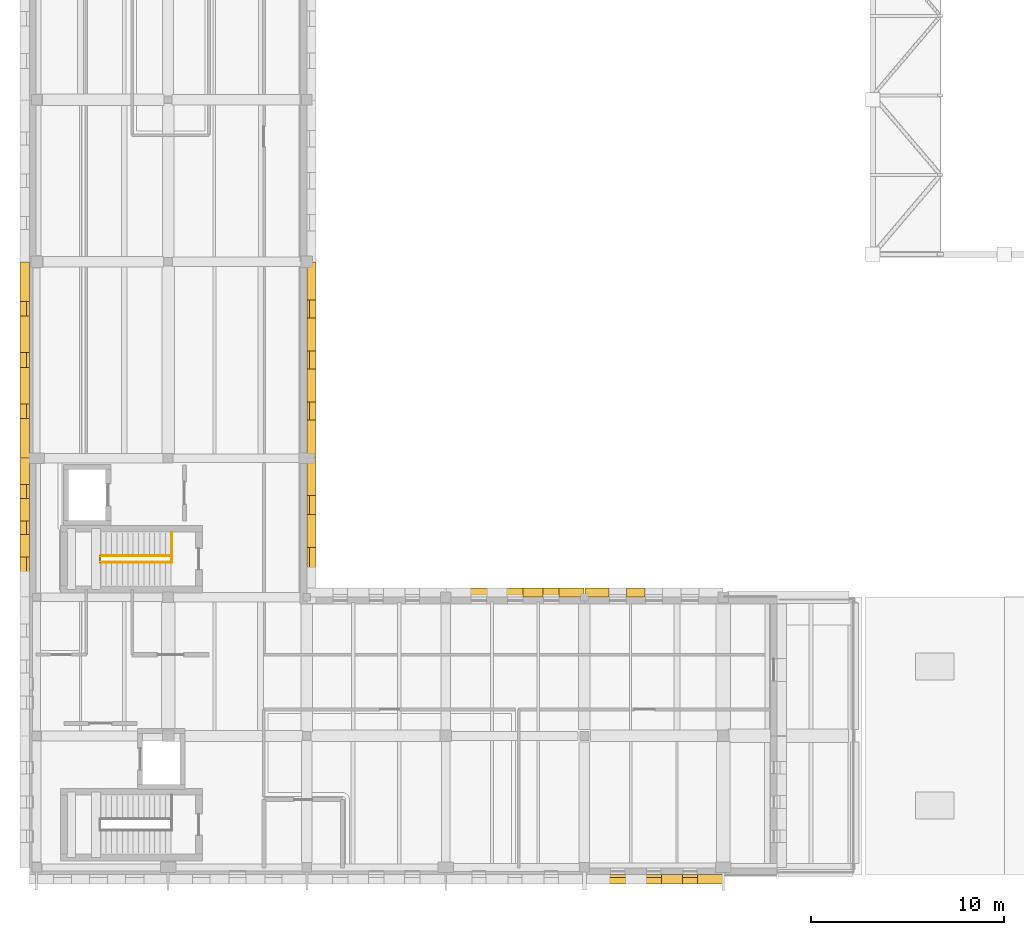
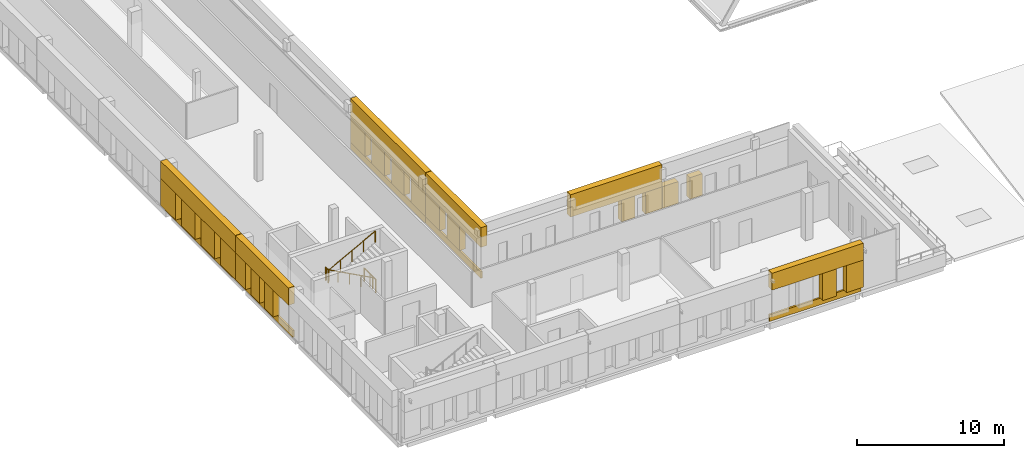
# One storey, part 48 of 56: 30 coverings, 4 railings.
"""IFC4 building model written with IfcOpenShell, lengths in metres."""

import ifcopenshell
import ifcopenshell.guid

model = None  # the IFC model being written
_history = None  # IfcOwnerHistory: only IFC2X3 demands one
_inside = {}  # id of a spatial element -> (the spatial element, [elements in it])
_under = {}  # id of a project, library or spatial element -> (it, [spatial elements below it])
_declared = {}  # id of a project -> (the project, [libraries it declares])
_typed = {}  # id of a type object -> (the type object, [elements of that type])
_made_of = {}  # id of a material, layer set ... -> (it, [elements and type objects made of it])


def new_model(schema):
    """Start an empty IFC model of exactly this schema.

    Asked for "IFC4X3", IfcOpenShell would pick the latest addendum, in which some entities
    have other attributes; the version numbers below select the first issue.
    IFC2X3 requires an IfcOwnerHistory on every rooted entity: one is made here for all.
    """
    global model, _history
    if schema == "IFC4X3":
        model = ifcopenshell.file(schema_version=(4, 3, 0, 0))
    else:
        model = ifcopenshell.file(schema=schema)
    _inside.clear()
    _under.clear()
    _declared.clear()
    _typed.clear()
    _made_of.clear()
    _history = None
    if model.schema == "IFC2X3":
        org = make("IfcOrganization", Name="unknown")
        user = make(
            "IfcPersonAndOrganization",
            ThePerson=make("IfcPerson", FamilyName="unknown"),
            TheOrganization=org,
        )
        app = make(
            "IfcApplication",
            ApplicationDeveloper=org,
            Version="unknown",
            ApplicationFullName="unknown",
            ApplicationIdentifier="unknown",
        )
        _history = make(
            "IfcOwnerHistory",
            OwningUser=user,
            OwningApplication=app,
            ChangeAction="ADDED",
            CreationDate=0,
        )
    return model


def make(cls, **values):
    """One entity of the class cls with the attributes given. An attribute that is None is left unset."""
    return model.create_entity(
        cls, **{name: value for name, value in values.items() if value is not None}
    )


def rooted(cls, **values):
    """An entity with a GlobalId (a new one), such as an element, a storey or a relation."""
    return make(cls, GlobalId=ifcopenshell.guid.new(), OwnerHistory=_history, **values)


def si_unit(unit_type, name, prefix=None):
    """IfcSIUnit, for example si_unit("LENGTHUNIT", "METRE", prefix="MILLI")."""
    return make("IfcSIUnit", UnitType=unit_type, Prefix=prefix, Name=name)


def assignment(units):
    """IfcUnitAssignment: the units of a project."""
    return None if units is None else make("IfcUnitAssignment", Units=units)


def point(xyz):
    """IfcCartesianPoint."""
    return None if xyz is None else make("IfcCartesianPoint", Coordinates=xyz)


def direction(xyz):
    """IfcDirection."""
    return None if xyz is None else make("IfcDirection", DirectionRatios=xyz)


def frame(location, z_axis=None, x_axis=None):
    """IfcAxis2Placement3D, a coordinate frame: its origin and axes. An axis left out is left unset."""
    return make(
        "IfcAxis2Placement3D",
        Location=point(location),
        Axis=direction(z_axis),
        RefDirection=direction(x_axis),
    )


def frame_2d(location, x_axis=None):
    """IfcAxis2Placement2D, a coordinate frame in the plane: its origin and x axis."""
    return make(
        "IfcAxis2Placement2D", Location=point(location), RefDirection=direction(x_axis)
    )


def origin():
    """The frame at (0, 0, 0) with its axes left unset."""
    return frame((0.0, 0.0, 0.0))


def origin_2d():
    """The frame at (0, 0) in the plane with its x axis left unset."""
    return frame_2d((0.0, 0.0))


def place(relative_to, where):
    """IfcLocalPlacement: puts the frame where relative to a parent placement (None: the world)."""
    return make(
        "IfcLocalPlacement", PlacementRelTo=relative_to, RelativePlacement=where
    )


def context(
    kind, dimensions, precision=None, world=None, true_north=None, identifier=None
):
    """IfcGeometricRepresentationContext, for example the 3D "Model" context."""
    return make(
        "IfcGeometricRepresentationContext",
        ContextIdentifier=identifier,
        ContextType=kind,
        CoordinateSpaceDimension=dimensions,
        Precision=precision,
        WorldCoordinateSystem=world,
        TrueNorth=true_north,
    )


def subcontext(parent, identifier, kind, view, scale=None):
    """IfcGeometricRepresentationSubContext, for example "Body" below "Model"."""
    return make(
        "IfcGeometricRepresentationSubContext",
        ContextIdentifier=identifier,
        ContextType=kind,
        ParentContext=parent,
        TargetScale=scale,
        TargetView=view,
    )


def project(units=None, contexts=None):
    """IfcProject with its units and contexts."""
    return rooted(
        "IfcProject",
        Name="project",
        RepresentationContexts=contexts,
        UnitsInContext=assignment(units),
    )


def spatial(cls, under=None, at=None, **own):
    """A site, building, storey or space (cls), placed at a placement, below another one or the project."""
    s = rooted(cls, ObjectPlacement=at, **own)
    if under is not None:
        _under.setdefault(under.id(), (under, []))[1].append(s)
    return s


def polyline(points):
    """IfcPolyline through the points."""
    return make("IfcPolyline", Points=[point(p) for p in points])


def profile(cls, at=None, kind="AREA", **sizes):
    """A parametric profile (cls). Its sizes go by their IFC names, for example OverallWidth=200.0."""
    return make(cls, ProfileType=kind, Position=at, **sizes)


def circle(**sizes):
    """IfcCircleProfileDef."""
    return profile("IfcCircleProfileDef", **sizes)


def outline(outer, holes=None, kind="AREA"):
    """IfcArbitraryClosedProfileDef: a profile drawn as a closed curve; with holes, ...WithVoids."""
    if holes is None:
        return make("IfcArbitraryClosedProfileDef", ProfileType=kind, OuterCurve=outer)
    return make(
        "IfcArbitraryProfileDefWithVoids",
        ProfileType=kind,
        OuterCurve=outer,
        InnerCurves=holes,
    )


def extrude(swept, where, along, depth):
    """IfcExtrudedAreaSolid: the profile swept, set in the frame where, extruded along a direction by depth."""
    return make(
        "IfcExtrudedAreaSolid",
        SweptArea=swept,
        Position=where,
        ExtrudedDirection=direction(along),
        Depth=depth,
    )


def shape(context_of_items, identifier, shape_type, items):
    """IfcShapeRepresentation: the items that make up one representation, for example the "Body"."""
    return make(
        "IfcShapeRepresentation",
        ContextOfItems=context_of_items,
        RepresentationIdentifier=identifier,
        RepresentationType=shape_type,
        Items=items,
    )


def material(Name=None, Category=None):
    """IfcMaterial."""
    return make("IfcMaterial", Name=Name, Category=Category)


def layer(
    of_material, thickness, ventilated=None, Name=None, Category=None, Priority=None
):
    """IfcMaterialLayer: one layer of a wall or slab, of a material (None: an air gap)."""
    return make(
        "IfcMaterialLayer",
        Material=of_material,
        LayerThickness=thickness,
        IsVentilated=ventilated,
        Name=Name,
        Category=Category,
        Priority=Priority,
    )


def layer_set(layers, Name=None):
    """IfcMaterialLayerSet."""
    return make("IfcMaterialLayerSet", MaterialLayers=layers, LayerSetName=Name)


def made_of(thing, what):
    """Note that an element or type object is made of a material, layer set ...; save() writes the relation."""
    if what is not None:
        _made_of.setdefault(what.id(), (what, []))[1].append(thing)
    return thing


def type_object(cls, material=None, **own):
    """A type object (cls), such as IfcWallType, which elements share."""
    return made_of(rooted(cls, **own), material)


def element(
    cls,
    number,
    at=None,
    inside=None,
    cuts=None,
    type_object=None,
    material=None,
    context=None,
    identifier="Body",
    shape_type=None,
    held_by="IfcProductDefinitionShape",
    body=None,
    shapes=None,
    **own,
):
    """One element of the class cls, such as IfcWall. Its Tag is "e" and its number.

    at: its placement. inside: the storey or other place that contains it. cuts: it is an
    opening in that element (IfcRelVoidsElement). A single representation is given by context,
    identifier, shape_type and body (its items); several are given by shapes. held_by: the class
    of the entity that holds the representations. save() writes the other relations.
    """
    e = rooted(cls, Tag="e%d" % number, ObjectPlacement=at, **own)
    if body is not None:
        shapes = [shape(context, identifier, shape_type, body)]
    if shapes is not None:
        e.Representation = make(held_by, Representations=shapes)
    if inside is not None:
        _inside.setdefault(inside.id(), (inside, []))[1].append(e)
    if cuts is not None:
        rooted(
            "IfcRelVoidsElement", RelatingBuildingElement=cuts, RelatedOpeningElement=e
        )
    if type_object is not None:
        _typed.setdefault(type_object.id(), (type_object, []))[1].append(e)
    return made_of(e, material)


def aggregate(whole, parts):
    """IfcRelAggregates: a whole, such as a stair, and the parts it consists of."""
    return rooted("IfcRelAggregates", RelatingObject=whole, RelatedObjects=parts)


def save(model, path):
    """Write the relations noted so far, then the file.

    IfcRelAggregates (storeys below a building ...), IfcRelContainedInSpatialStructure (elements
    in a storey), IfcRelDefinesByType, IfcRelAssociatesMaterial and IfcRelDeclares: one each for
    every whole, place, type object, material and project.
    """
    for whole, parts in _under.values():
        aggregate(whole, parts)
    for where, things in _inside.values():
        rooted(
            "IfcRelContainedInSpatialStructure",
            RelatedElements=things,
            RelatingStructure=where,
        )
    for kind, things in _typed.values():
        rooted("IfcRelDefinesByType", RelatedObjects=things, RelatingType=kind)
    for what, things in _made_of.values():
        rooted("IfcRelAssociatesMaterial", RelatedObjects=things, RelatingMaterial=what)
    for by, libraries in _declared.values():
        rooted("IfcRelDeclares", RelatingContext=by, RelatedDefinitions=libraries)
    model.write(path)


model = new_model("IFC4")

# Units and contexts
model_context = context("Model", 3, precision=1e-05, world=origin(), true_north=direction((0.0, 1.0)))
body_context = subcontext(model_context, "Body", "Model", "MODEL_VIEW")
ifc_project = project(units=[si_unit("LENGTHUNIT", "METRE"), si_unit("AREAUNIT", "SQUARE_METRE"), si_unit("VOLUMEUNIT", "CUBIC_METRE"), si_unit("PLANEANGLEUNIT", "RADIAN"), si_unit("MASSUNIT", "GRAM", prefix="KILO")], contexts=[model_context])

# Site, building, storey
site_placement = place(None, origin())
site = spatial("IfcSite", under=ifc_project, at=site_placement, CompositionType="ELEMENT")
building_placement = place(site_placement, origin())
building = spatial("IfcBuilding", under=site, at=building_placement, Name="Vardoun Plaza Health Centre", CompositionType="ELEMENT")
storey_placement = place(building_placement, frame((0.0, 0.0, 8.699951171875)))
storey = spatial("IfcBuildingStorey", under=building, at=storey_placement, Name="L02", CompositionType="ELEMENT", Elevation=8.699951171875)

# Coverings
ifc_material_1 = material(Name="Pale Limestone Concrete C35/45", Category="masonry")
ifc_layer = layer(ifc_material_1, 0.080078125)
ifc_layer_set = layer_set([ifc_layer], Name="Pale Limestone Concrete C35/45")
covering_type = type_object("IfcCoveringType", Name="CL-EXT1", PredefinedType="CLADDING", material=ifc_layer_set)
covering_1_placement = place(storey_placement, origin())
element("IfcCovering", 1, at=covering_1_placement, inside=storey, type_object=covering_type, Name="V2 L02 Pale Concrete Sill Band 202", PredefinedType="CLADDING", context=body_context, shape_type="SweptSolid", body=[
    extrude(outline(polyline([(18.89990234375, 36.280029296875), (18.89990234375, 26.1201171875), (19.0400390625, 26.1201171875), (19.0400390625, 36.280029296875), (18.89990234375, 36.280029296875)])), origin(), (0.0, 0.0, 1.0), 0.550048828125),
])
covering_2_placement = place(storey_placement, frame((0.0, 0.0, 2.570068359375)))
element("IfcCovering", 2, at=covering_2_placement, inside=storey, type_object=covering_type, Name="V2 L02 Sculpted Concrete Eyebrow Hood 203", PredefinedType="CLADDING", context=body_context, shape_type="SweptSolid", body=[
    extrude(outline(polyline([(18.89990234375, 36.280029296875), (18.89990234375, 26.1201171875), (19.3798828125, 26.1201171875), (19.3798828125, 36.280029296875), (18.89990234375, 36.280029296875)])), origin(), (0.0, 0.0, 1.0), 1.6298828125),
])
covering_3_placement = place(storey_placement, frame((0.0, 0.0, 0.550048828125)))
element("IfcCovering", 3, at=covering_3_placement, inside=storey, type_object=covering_type, Name="V2 L02 Deep-Punched Slot Concrete Reveal Pier 204", PredefinedType="CLADDING", context=body_context, shape_type="SweptSolid", body=[
    extrude(outline(polyline([(18.89990234375, 36.280029296875), (18.89990234375, 34.31689453125), (19.3798828125, 34.31689453125), (19.3798828125, 36.280029296875), (18.89990234375, 36.280029296875)])), origin(), (0.0, 0.0, 1.0), 2.02001953125),
])
covering_4_placement = place(storey_placement, frame((0.0, 0.0, 0.550048828125)))
element("IfcCovering", 4, at=covering_4_placement, inside=storey, type_object=covering_type, Name="V2 L02 Deep-Punched Slot Concrete Reveal Pier 205", PredefinedType="CLADDING", context=body_context, shape_type="SweptSolid", body=[
    extrude(outline(polyline([(18.89990234375, 33.386962890625), (18.89990234375, 31.6650390625), (19.3798828125, 31.6650390625), (19.3798828125, 33.386962890625), (18.89990234375, 33.386962890625)])), origin(), (0.0, 0.0, 1.0), 2.02001953125),
])
covering_5_placement = place(storey_placement, frame((0.0, 0.0, 0.550048828125)))
element("IfcCovering", 5, at=covering_5_placement, inside=storey, type_object=covering_type, Name="V2 L02 Deep-Punched Slot Concrete Reveal Pier 206", PredefinedType="CLADDING", context=body_context, shape_type="SweptSolid", body=[
    extrude(outline(polyline([(18.89990234375, 30.735107421875), (18.89990234375, 29.012939453125), (19.3798828125, 29.012939453125), (19.3798828125, 30.735107421875), (18.89990234375, 30.735107421875)])), origin(), (0.0, 0.0, 1.0), 2.02001953125),
])
covering_6_placement = place(storey_placement, frame((0.0, 0.0, 0.550048828125)))
element("IfcCovering", 6, at=covering_6_placement, inside=storey, type_object=covering_type, Name="V2 L02 Deep-Punched Slot Concrete Reveal Pier 207", PredefinedType="CLADDING", context=body_context, shape_type="SweptSolid", body=[
    extrude(outline(polyline([(18.89990234375, 28.0830078125), (18.89990234375, 26.1201171875), (19.3798828125, 26.1201171875), (19.3798828125, 28.0830078125), (18.89990234375, 28.0830078125)])), origin(), (0.0, 0.0, 1.0), 2.02001953125),
])
covering_7_placement = place(storey_placement, origin())
element("IfcCovering", 7, at=covering_7_placement, inside=storey, type_object=covering_type, Name="V2 L02 Pale Concrete Sill Band 208", PredefinedType="CLADDING", context=body_context, shape_type="SweptSolid", body=[
    extrude(outline(polyline([(18.89990234375, 26.080078125), (18.89990234375, 18.574951171875), (19.0400390625, 18.574951171875), (19.0400390625, 26.080078125), (18.89990234375, 26.080078125)])), origin(), (0.0, 0.0, 1.0), 0.550048828125),
])
covering_8_placement = place(storey_placement, frame((0.0, 0.0, 2.570068359375)))
element("IfcCovering", 8, at=covering_8_placement, inside=storey, type_object=covering_type, Name="V2 L02 Sculpted Concrete Eyebrow Hood 209", PredefinedType="CLADDING", context=body_context, shape_type="SweptSolid", body=[
    extrude(outline(polyline([(18.89990234375, 26.080078125), (18.89990234375, 18.574951171875), (19.3798828125, 18.574951171875), (19.3798828125, 26.080078125), (18.89990234375, 26.080078125)])), origin(), (0.0, 0.0, 1.0), 1.6298828125),
])
covering_9_placement = place(storey_placement, frame((0.0, 0.0, 0.550048828125)))
element("IfcCovering", 9, at=covering_9_placement, inside=storey, type_object=covering_type, Name="V2 L02 Deep-Punched Slot Concrete Reveal Pier 210", PredefinedType="CLADDING", context=body_context, shape_type="SweptSolid", body=[
    extrude(outline(polyline([(18.89990234375, 26.080078125), (18.89990234375, 24.1806640625), (19.3798828125, 24.1806640625), (19.3798828125, 26.080078125), (18.89990234375, 26.080078125)])), origin(), (0.0, 0.0, 1.0), 2.02001953125),
])
covering_10_placement = place(storey_placement, frame((0.0, 0.0, 0.550048828125)))
element("IfcCovering", 10, at=covering_10_placement, inside=storey, type_object=covering_type, Name="V2 L02 Deep-Punched Slot Concrete Reveal Pier 211", PredefinedType="CLADDING", context=body_context, shape_type="SweptSolid", body=[
    extrude(outline(polyline([(18.89990234375, 23.190673828125), (18.89990234375, 21.46435546875), (19.3798828125, 21.46435546875), (19.3798828125, 23.190673828125), (18.89990234375, 23.190673828125)])), origin(), (0.0, 0.0, 1.0), 2.02001953125),
])
covering_11_placement = place(storey_placement, frame((0.0, 0.0, 2.35009765625)))
element("IfcCovering", 11, at=covering_11_placement, inside=storey, type_object=covering_type, Name="V2 L02 Sculpted Concrete Eyebrow Hood 220", PredefinedType="CLADDING", context=body_context, shape_type="SweptSolid", body=[
    extrude(outline(polyline([(26.1201171875, 18.89990234375), (33.280029296875, 18.89990234375), (33.280029296875, 19.3798828125), (26.1201171875, 19.3798828125), (26.1201171875, 18.89990234375)])), origin(), (0.0, 0.0, 1.0), 1.849853515625),
])
covering_12_placement = place(storey_placement, frame((0.0, 0.0, 0.550048828125)))
element("IfcCovering", 12, at=covering_12_placement, inside=storey, type_object=covering_type, Name="V2 L02 Deep-Punched Slot Concrete Reveal Pier 223", PredefinedType="CLADDING", context=body_context, shape_type="SweptSolid", body=[
    extrude(outline(polyline([(30.1201171875, 18.89990234375), (31.152099609375, 18.89990234375), (31.152099609375, 19.3798828125), (30.1201171875, 19.3798828125), (30.1201171875, 18.89990234375)])), origin(), (0.0, 0.0, 1.0), 1.800048828125),
])
covering_13_placement = place(storey_placement, frame((0.0, 0.0, 0.550048828125)))
element("IfcCovering", 13, at=covering_13_placement, inside=storey, type_object=covering_type, Name="V2 L02 Deep-Punched Slot Concrete Reveal Pier 224", PredefinedType="CLADDING", context=body_context, shape_type="SweptSolid", body=[
    extrude(outline(polyline([(31.991943359375, 18.89990234375), (33.280029296875, 18.89990234375), (33.280029296875, 19.3798828125), (31.991943359375, 19.3798828125), (31.991943359375, 18.89990234375)])), origin(), (0.0, 0.0, 1.0), 1.800048828125),
])
covering_14_placement = place(storey_placement, frame((0.0, 0.0, 0.550048828125)))
element("IfcCovering", 14, at=covering_14_placement, inside=storey, type_object=covering_type, Name="V2 L02 Deep-Punched Slot Concrete Reveal Pier 227", PredefinedType="CLADDING", context=body_context, shape_type="SweptSolid", body=[
    extrude(outline(polyline([(33.320068359375, 18.89990234375), (34.568115234375, 18.89990234375), (34.568115234375, 19.3798828125), (33.320068359375, 19.3798828125), (33.320068359375, 18.89990234375)])), origin(), (0.0, 0.0, 1.0), 1.800048828125),
])
covering_15_placement = place(storey_placement, frame((0.0, 0.0, 0.550048828125)))
element("IfcCovering", 15, at=covering_15_placement, inside=storey, type_object=covering_type, Name="V2 L02 Deep-Punched Slot Concrete Reveal Pier 228", PredefinedType="CLADDING", context=body_context, shape_type="SweptSolid", body=[
    extrude(outline(polyline([(35.488037109375, 18.89990234375), (36.43994140625, 18.89990234375), (36.43994140625, 19.3798828125), (35.488037109375, 19.3798828125), (35.488037109375, 18.89990234375)])), origin(), (0.0, 0.0, 1.0), 1.800048828125),
])
covering_16_placement = place(storey_placement, origin())
element("IfcCovering", 16, at=covering_16_placement, inside=storey, type_object=covering_type, Name="V2 L02 Pale Concrete Sill Band 242", PredefinedType="CLADDING", context=body_context, shape_type="SweptSolid", body=[
    extrude(outline(polyline([(40.47998046875, 4.5), (33.320068359375, 4.5), (33.320068359375, 4.360107421875), (40.47998046875, 4.360107421875), (40.47998046875, 4.5)])), origin(), (0.0, 0.0, 1.0), 0.550048828125),
])
covering_17_placement = place(storey_placement, frame((0.0, 0.0, 2.800048828125)))
element("IfcCovering", 17, at=covering_17_placement, inside=storey, type_object=covering_type, Name="V2 L02 Sculpted Concrete Eyebrow Hood 243", PredefinedType="CLADDING", context=body_context, shape_type="SweptSolid", body=[
    extrude(outline(polyline([(40.47998046875, 4.5), (33.320068359375, 4.5), (33.320068359375, 4.02001953125), (40.47998046875, 4.02001953125), (40.47998046875, 4.5)])), origin(), (0.0, 0.0, 1.0), 1.39990234375),
])
covering_18_placement = place(storey_placement, frame((0.0, 0.0, 0.550048828125)))
element("IfcCovering", 18, at=covering_18_placement, inside=storey, type_object=covering_type, Name="V2 L02 Deep-Punched Slot Concrete Reveal Pier 244", PredefinedType="CLADDING", context=body_context, shape_type="SweptSolid", body=[
    extrude(outline(polyline([(40.47998046875, 4.5), (39.162109375, 4.5), (39.162109375, 4.02001953125), (40.47998046875, 4.02001953125), (40.47998046875, 4.5)])), origin(), (0.0, 0.0, 1.0), 2.25),
])
covering_19_placement = place(storey_placement, frame((0.0, 0.0, 0.550048828125)))
element("IfcCovering", 19, at=covering_19_placement, inside=storey, type_object=covering_type, Name="V2 L02 Deep-Punched Slot Concrete Reveal Pier 245", PredefinedType="CLADDING", context=body_context, shape_type="SweptSolid", body=[
    extrude(outline(polyline([(38.382080078125, 4.5), (37.2900390625, 4.5), (37.2900390625, 4.02001953125), (38.382080078125, 4.02001953125), (38.382080078125, 4.5)])), origin(), (0.0, 0.0, 1.0), 2.25),
])
covering_20_placement = place(storey_placement, origin())
element("IfcCovering", 20, at=covering_20_placement, inside=storey, type_object=covering_type, Name="V2 L02 Pale Concrete Sill Band 284", PredefinedType="CLADDING", context=body_context, shape_type="SweptSolid", body=[
    extrude(outline(polyline([(4.5, 18.919921875), (4.5, 26.080078125), (4.360107421875, 26.080078125), (4.360107421875, 18.919921875), (4.5, 18.919921875)])), origin(), (0.0, 0.0, 1.0), 0.550048828125),
])
covering_21_placement = place(storey_placement, frame((0.0, 0.0, 2.77001953125)))
element("IfcCovering", 21, at=covering_21_placement, inside=storey, type_object=covering_type, Name="V2 L02 Sculpted Concrete Eyebrow Hood 285", PredefinedType="CLADDING", context=body_context, shape_type="SweptSolid", body=[
    extrude(outline(polyline([(4.5, 18.919921875), (4.5, 26.080078125), (4.02001953125, 26.080078125), (4.02001953125, 18.919921875), (4.5, 18.919921875)])), origin(), (0.0, 0.0, 1.0), 1.429931640625),
])
covering_22_placement = place(storey_placement, frame((0.0, 0.0, 0.550048828125)))
element("IfcCovering", 22, at=covering_22_placement, inside=storey, type_object=covering_type, Name="V2 L02 Deep-Punched Slot Concrete Reveal Pier 287", PredefinedType="CLADDING", context=body_context, shape_type="SweptSolid", body=[
    extrude(outline(polyline([(4.5, 20.988037109375), (4.5, 22.139892578125), (4.02001953125, 22.139892578125), (4.02001953125, 20.988037109375), (4.5, 20.988037109375)])), origin(), (0.0, 0.0, 1.0), 2.219970703125),
])
covering_23_placement = place(storey_placement, frame((0.0, 0.0, 0.550048828125)))
element("IfcCovering", 23, at=covering_23_placement, inside=storey, type_object=covering_type, Name="V2 L02 Deep-Punched Slot Concrete Reveal Pier 288", PredefinedType="CLADDING", context=body_context, shape_type="SweptSolid", body=[
    extrude(outline(polyline([(4.5, 22.860107421875), (4.5, 24.011962890625), (4.02001953125, 24.011962890625), (4.02001953125, 22.860107421875), (4.5, 22.860107421875)])), origin(), (0.0, 0.0, 1.0), 2.219970703125),
])
covering_24_placement = place(storey_placement, frame((0.0, 0.0, 0.550048828125)))
element("IfcCovering", 24, at=covering_24_placement, inside=storey, type_object=covering_type, Name="V2 L02 Deep-Punched Slot Concrete Reveal Pier 289", PredefinedType="CLADDING", context=body_context, shape_type="SweptSolid", body=[
    extrude(outline(polyline([(4.5, 24.73193359375), (4.5, 26.080078125), (4.02001953125, 26.080078125), (4.02001953125, 24.73193359375), (4.5, 24.73193359375)])), origin(), (0.0, 0.0, 1.0), 2.219970703125),
])
covering_25_placement = place(storey_placement, origin())
element("IfcCovering", 25, at=covering_25_placement, inside=storey, type_object=covering_type, Name="V2 L02 Pale Concrete Sill Band 290", PredefinedType="CLADDING", context=body_context, shape_type="SweptSolid", body=[
    extrude(outline(polyline([(4.5, 26.1201171875), (4.5, 36.280029296875), (4.360107421875, 36.280029296875), (4.360107421875, 26.1201171875), (4.5, 26.1201171875)])), origin(), (0.0, 0.0, 1.0), 0.550048828125),
])
covering_26_placement = place(storey_placement, frame((0.0, 0.0, 2.77001953125)))
element("IfcCovering", 26, at=covering_26_placement, inside=storey, type_object=covering_type, Name="V2 L02 Sculpted Concrete Eyebrow Hood 291", PredefinedType="CLADDING", context=body_context, shape_type="SweptSolid", body=[
    extrude(outline(polyline([(4.5, 26.1201171875), (4.5, 36.280029296875), (4.02001953125, 36.280029296875), (4.02001953125, 26.1201171875), (4.5, 26.1201171875)])), origin(), (0.0, 0.0, 1.0), 1.429931640625),
])
covering_27_placement = place(storey_placement, frame((0.0, 0.0, 0.550048828125)))
element("IfcCovering", 27, at=covering_27_placement, inside=storey, type_object=covering_type, Name="V2 L02 Deep-Punched Slot Concrete Reveal Pier 292", PredefinedType="CLADDING", context=body_context, shape_type="SweptSolid", body=[
    extrude(outline(polyline([(4.5, 26.1201171875), (4.5, 28.16796875), (4.02001953125, 28.16796875), (4.02001953125, 26.1201171875), (4.5, 26.1201171875)])), origin(), (0.0, 0.0, 1.0), 2.219970703125),
])
covering_28_placement = place(storey_placement, frame((0.0, 0.0, 0.550048828125)))
element("IfcCovering", 28, at=covering_28_placement, inside=storey, type_object=covering_type, Name="V2 L02 Deep-Punched Slot Concrete Reveal Pier 293", PredefinedType="CLADDING", context=body_context, shape_type="SweptSolid", body=[
    extrude(outline(polyline([(4.5, 28.927978515625), (4.5, 30.820068359375), (4.02001953125, 30.820068359375), (4.02001953125, 28.927978515625), (4.5, 28.927978515625)])), origin(), (0.0, 0.0, 1.0), 2.219970703125),
])
covering_29_placement = place(storey_placement, frame((0.0, 0.0, 0.550048828125)))
element("IfcCovering", 29, at=covering_29_placement, inside=storey, type_object=covering_type, Name="V2 L02 Deep-Punched Slot Concrete Reveal Pier 294", PredefinedType="CLADDING", context=body_context, shape_type="SweptSolid", body=[
    extrude(outline(polyline([(4.5, 31.580078125), (4.5, 33.471923828125), (4.02001953125, 33.471923828125), (4.02001953125, 31.580078125), (4.5, 31.580078125)])), origin(), (0.0, 0.0, 1.0), 2.219970703125),
])
covering_30_placement = place(storey_placement, frame((0.0, 0.0, 0.550048828125)))
element("IfcCovering", 30, at=covering_30_placement, inside=storey, type_object=covering_type, Name="V2 L02 Deep-Punched Slot Concrete Reveal Pier 295", PredefinedType="CLADDING", context=body_context, shape_type="SweptSolid", body=[
    extrude(outline(polyline([(4.5, 34.23193359375), (4.5, 36.280029296875), (4.02001953125, 36.280029296875), (4.02001953125, 34.23193359375), (4.5, 34.23193359375)])), origin(), (0.0, 0.0, 1.0), 2.219970703125),
])

# Railings
ifc_material_2 = material(Name="Painted Steel S275JR Stair-Well Guardrail", Category="steel")
railing_type_1 = type_object("IfcRailingType", Name="GR-04", PredefinedType="GUARDRAIL", material=ifc_material_2)
railing_1_placement = place(storey_placement, frame((11.889892578125, 20.705078125, 0.0)))
element("IfcRailing", 31, at=railing_1_placement, inside=storey, type_object=railing_type_1, Name="Stair ST-C2-L01 Upper Landing Well Guard", PredefinedType="GUARDRAIL", context=body_context, shape_type="SweptSolid", body=[
    extrude(circle(Radius=0.02392578125, at=origin_2d()), frame((0.0, 0.0, 1.09619140625), z_axis=(0.0, 1.0, 0.0), x_axis=(-1.0, 0.0, 0.0)), (0.0, 0.0, 1.0), 1.56494140625),
    extrude(circle(Radius=0.02099609375, at=origin_2d()), origin(), (0.0, 0.0, 1.0), 1.072021484375),
    extrude(circle(Radius=0.02099609375, at=origin_2d()), frame((0.0, 0.782470703125, 0.0)), (0.0, 0.0, 1.0), 1.072021484375),
    extrude(circle(Radius=0.02099609375, at=origin_2d()), frame((0.0, 1.56494140625, 0.0)), (0.0, 0.0, 1.0), 1.072021484375),
])
railing_2_placement = place(storey_placement, frame((8.169921875, 20.705078125, 2.10009765625)))
element("IfcRailing", 32, at=railing_2_placement, inside=storey, type_object=railing_type_1, Name="Stair ST-C2-L02 Mid-Landing Well Guard", PredefinedType="GUARDRAIL", context=body_context, shape_type="SweptSolid", body=[
    extrude(circle(Radius=0.02392578125, at=origin_2d()), frame((0.0, 0.0, 1.09619140625), z_axis=(0.0, 1.0, 0.0), x_axis=(-1.0, 0.0, 0.0)), (0.0, 0.0, 1.0), 0.33984375),
    extrude(circle(Radius=0.02099609375, at=origin_2d()), origin(), (0.0, 0.0, 1.0), 1.072021484375),
    extrude(circle(Radius=0.02099609375, at=origin_2d()), frame((0.0, 0.33984375, 0.0)), (0.0, 0.0, 1.0), 1.072021484375),
])
ifc_material_3 = material(Name="Brushed Stainless Steel Grade 316L", Category="steel")
railing_type_2 = type_object("IfcRailingType", Name="HR-01", PredefinedType="HANDRAIL", material=ifc_material_3)
railing_3_placement = place(storey_placement, frame((11.85009765625, 21.044921875, 0.150146484375)))
element("IfcRailing", 33, at=railing_3_placement, inside=storey, type_object=railing_type_2, Name="Stair ST-C2-L02 Flight 1 Handrail", PredefinedType="HANDRAIL", context=body_context, shape_type="SweptSolid", body=[
    extrude(circle(Radius=0.02392578125, at=origin_2d()), frame((0.0, 0.0, 0.89599609375), z_axis=(-0.881492274372, 0.0, 0.472198443689), x_axis=(0.0, -1.0, 0.0)), (0.0, 0.0, 1.0), 4.12939453125),
    extrude(circle(Radius=0.02099609375, at=origin_2d()), origin(), (0.0, 0.0, 1.0), 0.871826171875),
    extrude(circle(Radius=0.02099609375, at=origin_2d()), frame((-0.91015625, 0.0, 0.487548828125)), (0.0, 0.0, 1.0), 0.871826171875),
    extrude(circle(Radius=0.02099609375, at=origin_2d()), frame((-1.820068359375, 0.0, 0.97509765625)), (0.0, 0.0, 1.0), 0.871826171875),
    extrude(circle(Radius=0.02099609375, at=origin_2d()), frame((-2.72998046875, 0.0, 1.46240234375)), (0.0, 0.0, 1.0), 0.871826171875),
    extrude(circle(Radius=0.02099609375, at=origin_2d()), frame((-3.64013671875, 0.0, 1.949951171875)), (0.0, 0.0, 1.0), 0.871826171875),
])
railing_4_placement = place(storey_placement, frame((8.2099609375, 20.705078125, 2.25)))
element("IfcRailing", 34, at=railing_4_placement, inside=storey, type_object=railing_type_2, Name="Stair ST-C2-L02 Flight 2 Handrail", PredefinedType="HANDRAIL", context=body_context, shape_type="SweptSolid", body=[
    extrude(circle(Radius=0.02392578125, at=origin_2d()), frame((0.0, 0.0, 0.89599609375), z_axis=(0.881492274372, 0.0, 0.472198443689), x_axis=(0.0, 1.0, 0.0)), (0.0, 0.0, 1.0), 4.12939453125),
    extrude(circle(Radius=0.02099609375, at=origin_2d()), origin(), (0.0, 0.0, 1.0), 0.871826171875),
    extrude(circle(Radius=0.02099609375, at=origin_2d()), frame((0.91015625, 0.0, 0.487548828125)), (0.0, 0.0, 1.0), 0.871826171875),
    extrude(circle(Radius=0.02099609375, at=origin_2d()), frame((1.820068359375, 0.0, 0.97509765625)), (0.0, 0.0, 1.0), 0.871826171875),
    extrude(circle(Radius=0.02099609375, at=origin_2d()), frame((2.72998046875, 0.0, 1.46240234375)), (0.0, 0.0, 1.0), 0.871826171875),
    extrude(circle(Radius=0.02099609375, at=origin_2d()), frame((3.64013671875, 0.0, 1.949951171875)), (0.0, 0.0, 1.0), 0.871826171875),
])

save(model, "model.ifc")
